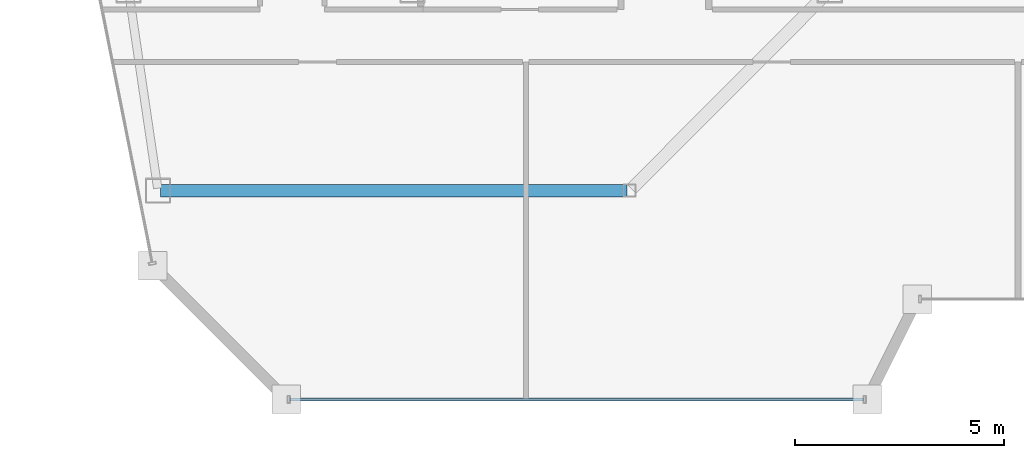
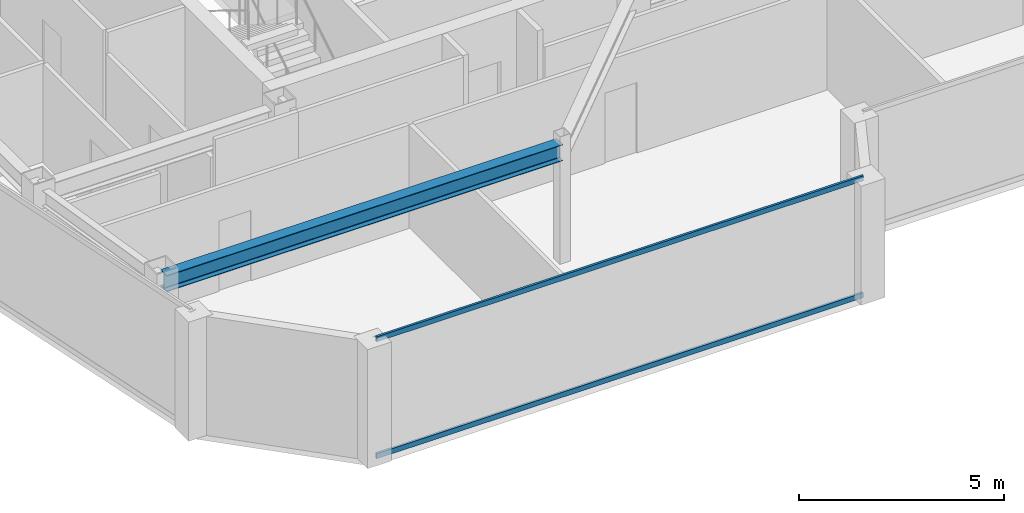
# One storey, part 4 of 23: 2 members, 1 beam, 1 element without a shape of its own.
"""IFC4 building model written with IfcOpenShell, lengths in metres."""

from ifc_helpers import new_model, si_unit, direction, frame, origin, origin_2d, place, context, subcontext, project, spatial, hollow_rectangle, i_section, extrude, material, material_profile, profile_set, type_object, element, aggregate, save


model = new_model("IFC4")

# Units and contexts
model_context = context("Model", 3, precision=1e-05, world=origin(), true_north=direction((0.0, 1.0)))
body_context = subcontext(model_context, "Body", "Model", "MODEL_VIEW")
ifc_project = project(units=[si_unit("LENGTHUNIT", "METRE"), si_unit("AREAUNIT", "SQUARE_METRE"), si_unit("VOLUMEUNIT", "CUBIC_METRE"), si_unit("PLANEANGLEUNIT", "RADIAN"), si_unit("MASSUNIT", "GRAM", prefix="KILO")], contexts=[model_context])

# Site, building, storey
site_placement = place(None, origin())
site = spatial("IfcSite", under=ifc_project, at=site_placement, CompositionType="ELEMENT")
building_placement = place(site_placement, origin())
building = spatial("IfcBuilding", under=site, at=building_placement, Name="Saevonmaru Cultural Tower", CompositionType="ELEMENT")
storey_placement = place(building_placement, frame((0.0, 0.0, 302.800048828125)))
storey = spatial("IfcBuildingStorey", under=building, at=storey_placement, Name="L72", CompositionType="ELEMENT", Elevation=302.800048828125)

# Beam
ifc_material_1 = material(Name="Steel SM355", Category="steel")
ifc_material_profile_1 = material_profile(ifc_material_1, i_section(OverallWidth=0.300048828125, OverallDepth=0.488037109375, WebThickness=0.010986328125, FlangeThickness=0.01806640625, FilletRadius=0.02197265625, at=origin_2d()), Name="H-488x300x11x18")
ifc_profile_set_1 = profile_set([ifc_material_profile_1], Name="Steel SM355")
beam_type = type_object("IfcBeamType", Name="BM-G-H488", PredefinedType="BEAM", material=ifc_profile_set_1)
beam_placement = place(storey_placement, frame((7.568115234375, 37.60009765625, 3.305908203125), z_axis=(1.0, 0.0, 0.0), x_axis=(0.0, 1.0, 0.0)))
element("IfcBeam", 1, at=beam_placement, inside=storey, type_object=beam_type, Name="L72 West Wing Transverse Girder 1", PredefinedType="BEAM", context=body_context, shape_type="SweptSolid", body=[
    extrude(i_section(OverallWidth=0.300048828125, OverallDepth=0.488037109375, WebThickness=0.010986328125, FlangeThickness=0.01806640625, FilletRadius=0.02197265625, at=origin_2d()), origin(), (0.0, 0.0, 1.0), 11.179931640625),
])

# Curtain wall, members
ifc_material_2 = material(Name="Satin Bronze Anodised Aluminium", Category="aluminium")
curtain_wall_type = type_object("IfcCurtainWallType", Name="CW-TYP-B", PredefinedType="NOTDEFINED", material=ifc_material_2)
curtain_wall_placement = place(storey_placement, origin())
curtain_wall = element("IfcCurtainWall", 2, at=curtain_wall_placement, inside=storey, type_object=curtain_wall_type, Name="L72 Unitised Curtain Wall E2", PredefinedType="NOTDEFINED")
ifc_material_profile_2 = material_profile(ifc_material_2, hollow_rectangle(XDim=0.06494140625, YDim=0.14990234375, WallThickness=0.00390625, at=origin_2d()), Name="ALU-TRAN-150x65x4")
ifc_profile_set_2 = profile_set([ifc_material_profile_2], Name="Satin Bronze Anodised Aluminium")
member_type = type_object("IfcMemberType", Name="TR-CW-150x65", PredefinedType="USERDEFINED", material=ifc_profile_set_2)
member_1_placement = place(storey_placement, frame((10.672607421875, 32.60009765625, 0.032470703125), z_axis=(1.0, 0.0, 0.0), x_axis=(0.0, 1.0, 0.0)))
member_1 = element("IfcMember", 3, at=member_1_placement, type_object=member_type, Name="CW-TW-L72-E2 transom 1.1", ObjectType="TRANSOM", PredefinedType="USERDEFINED", context=body_context, shape_type="SweptSolid", body=[
    extrude(hollow_rectangle(XDim=0.06494140625, YDim=0.14990234375, WallThickness=0.00390625, at=origin_2d()), origin(), (0.0, 0.0, 1.0), 13.73486328125),
])
member_2_placement = place(storey_placement, frame((10.672607421875, 32.60009765625, 3.517333984375), z_axis=(1.0, 0.0, 0.0), x_axis=(0.0, 1.0, 0.0)))
member_2 = element("IfcMember", 4, at=member_2_placement, type_object=member_type, Name="CW-TW-L72-E2 transom 1.2", ObjectType="TRANSOM", PredefinedType="USERDEFINED", context=body_context, shape_type="SweptSolid", body=[
    extrude(hollow_rectangle(XDim=0.06494140625, YDim=0.14990234375, WallThickness=0.00390625, at=origin_2d()), origin(), (0.0, 0.0, 1.0), 13.73486328125),
])
aggregate(curtain_wall, [member_1, member_2])

save(model, "model.ifc")
